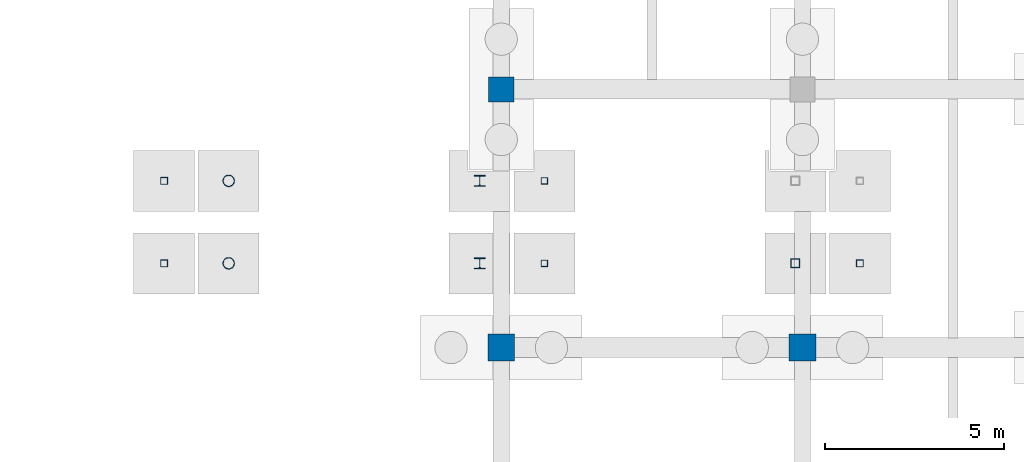
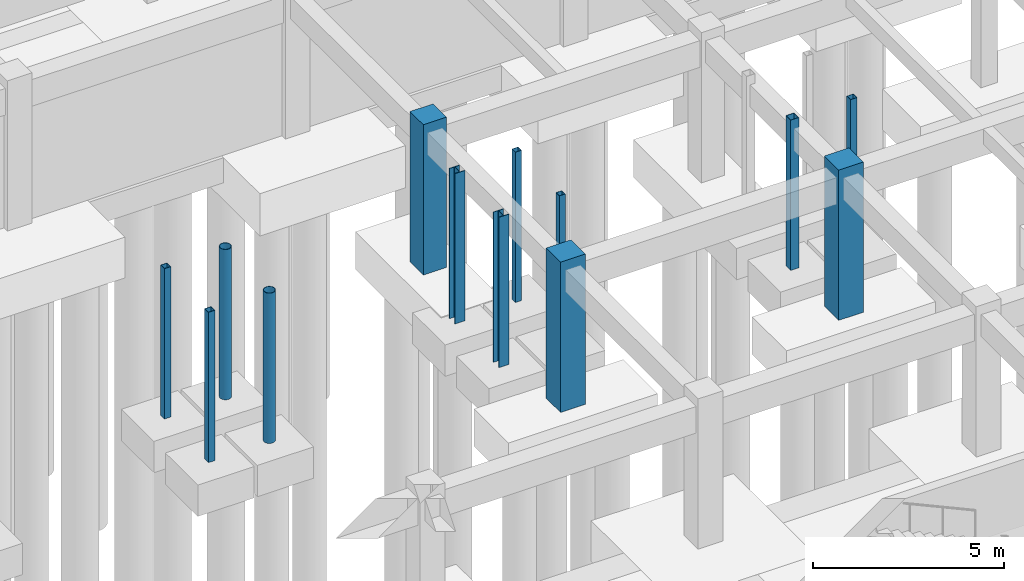
# One storey, part 38 of 80: 13 columns.
"""IFC4 building model written with IfcOpenShell, lengths in metres."""

from ifc_helpers import new_model, si_unit, direction, frame, origin, origin_2d, place, context, subcontext, project, spatial, rectangle, hollow_rectangle, hollow_circle, i_section, extrude, material, material_profile, profile_set, type_object, element, save


model = new_model("IFC4")

# Units and contexts
model_context = context("Model", 3, precision=1e-05, world=origin(), true_north=direction((0.0, 1.0)))
body_context = subcontext(model_context, "Body", "Model", "MODEL_VIEW")
ifc_project = project(units=[si_unit("LENGTHUNIT", "METRE"), si_unit("AREAUNIT", "SQUARE_METRE"), si_unit("VOLUMEUNIT", "CUBIC_METRE"), si_unit("PLANEANGLEUNIT", "RADIAN"), si_unit("MASSUNIT", "GRAM", prefix="KILO")], contexts=[model_context])

# Site, building, storey
site_placement = place(None, origin())
site = spatial("IfcSite", under=ifc_project, at=site_placement, CompositionType="ELEMENT")
building_placement = place(site_placement, origin())
building = spatial("IfcBuilding", under=site, at=building_placement, Name="Malvenik Polytechnic", CompositionType="ELEMENT")
storey_placement = place(building_placement, frame((0.0, 0.0, -4.800048828125)))
storey = spatial("IfcBuildingStorey", under=building, at=storey_placement, Name="B1", CompositionType="ELEMENT", Elevation=-4.800048828125)

# Columns
ifc_material_1 = material(Name="Concrete C40/50", Category="concrete")
ifc_material_profile_1 = material_profile(ifc_material_1, rectangle(XDim=0.75, YDim=0.75, at=origin_2d()), Name="RC COL 750x750")
ifc_profile_set_1 = profile_set([ifc_material_profile_1], Name="Concrete C40/50")
column_type_1 = type_object("IfcColumnType", Name="STR-COL-C-03", PredefinedType="COLUMN", material=ifc_profile_set_1)
for number, where, z_axis, x_axis, name in (
    (1, (75.60009765625, 100.800048828125, 0.0), (0.0, 0.0, 1.0), (1.0, 0.0, 0.0), "Column C-03 B1 (75.6,100.8)"),
    (2, (84.0, 100.800048828125, 0.0), (0.0, 0.0, 1.0), (1.0, 0.0, 0.0), "Column C-03 B1 (84.0,100.8)"),
):
    element("IfcColumn", number, at=place(storey_placement, frame(where, z_axis=z_axis, x_axis=x_axis)), inside=storey, type_object=column_type_1, Name=name, PredefinedType="COLUMN", context=body_context, shape_type="SweptSolid", body=[
        extrude(rectangle(XDim=0.75, YDim=0.75, at=origin_2d()), origin(), (0.0, 0.0, 1.0), 4.800048828125),
    ])
ifc_material_profile_2 = material_profile(ifc_material_1, rectangle(XDim=0.699951171875, YDim=0.699951171875, at=origin_2d()), Name="RC COL 700x700")
ifc_profile_set_2 = profile_set([ifc_material_profile_2], Name="Concrete C40/50")
column_type_2 = type_object("IfcColumnType", Name="STR-COL-C-04", PredefinedType="COLUMN", material=ifc_profile_set_2)
column_1_placement = place(storey_placement, frame((75.60009765625, 108.0, 0.0), z_axis=(0.0, 0.0, 1.0), x_axis=(1.0, 0.0, 0.0)))
element("IfcColumn", 3, at=column_1_placement, inside=storey, type_object=column_type_2, Name="Column C-04 B1 (75.6,108.0)", PredefinedType="COLUMN", context=body_context, shape_type="SweptSolid", body=[
    extrude(rectangle(XDim=0.699951171875, YDim=0.699951171875, at=origin_2d()), origin(), (0.0, 0.0, 1.0), 4.800048828125),
])
ifc_material_2 = material(Name="Steel S355J2H", Category="steel")
ifc_material_profile_3 = material_profile(ifc_material_2, hollow_rectangle(XDim=0.25, YDim=0.25, WallThickness=0.010009765625, at=origin_2d()), Name="SHS 250x250x10.0")
ifc_profile_set_3 = profile_set([ifc_material_profile_3], Name="Steel S355J2H")
column_type_3 = type_object("IfcColumnType", Name="STR-SCOL-SC-01", PredefinedType="COLUMN", material=ifc_profile_set_3)
column_2_placement = place(storey_placement, frame((83.800048828125, 103.14990234375, 0.0), z_axis=(0.0, 0.0, 1.0), x_axis=(1.0, 0.0, 0.0)))
element("IfcColumn", 4, at=column_2_placement, inside=storey, type_object=column_type_3, Name="Bridge-Ramp Support Column SC-01 B1", PredefinedType="COLUMN", context=body_context, shape_type="SweptSolid", body=[
    extrude(hollow_rectangle(XDim=0.25, YDim=0.25, WallThickness=0.010009765625, at=origin_2d()), origin(), (0.0, 0.0, 1.0), 4.800048828125),
])
ifc_material_profile_4 = material_profile(ifc_material_2, hollow_rectangle(XDim=0.199951171875, YDim=0.199951171875, WallThickness=0.010009765625, at=origin_2d()), Name="SHS 200x200x10.0")
ifc_profile_set_4 = profile_set([ifc_material_profile_4], Name="Steel S355J2H")
column_type_4 = type_object("IfcColumnType", Name="STR-SCOL-SC-02", PredefinedType="COLUMN", material=ifc_profile_set_4)
for number, where, z_axis, x_axis, name in (
    (5, (66.199951171875, 103.14990234375, 0.0), (0.0, 0.0, 1.0), (1.0, 0.0, 0.0), "Bridge-Ramp Support Column SC-02 B1"),
    (6, (66.199951171875, 105.449951171875, 0.0), (0.0, 0.0, 1.0), (1.0, 0.0, 0.0), "Bridge-Ramp Support Column SC-02 B1"),
    (7, (85.60009765625, 103.14990234375, 0.0), (0.0, 0.0, 1.0), (1.0, 0.0, 0.0), "Bridge-Ramp Support Column SC-02 B1"),
):
    element("IfcColumn", number, at=place(storey_placement, frame(where, z_axis=z_axis, x_axis=x_axis)), inside=storey, type_object=column_type_4, Name=name, PredefinedType="COLUMN", context=body_context, shape_type="SweptSolid", body=[
        extrude(hollow_rectangle(XDim=0.199951171875, YDim=0.199951171875, WallThickness=0.010009765625, at=origin_2d()), origin(), (0.0, 0.0, 1.0), 4.800048828125),
    ])
ifc_material_profile_5 = material_profile(ifc_material_2, hollow_circle(Radius=0.161865234375, WallThickness=0.012451171875, at=origin_2d()), Name="CHS 323.9x12.5")
ifc_profile_set_5 = profile_set([ifc_material_profile_5], Name="Steel S355J2H")
column_type_5 = type_object("IfcColumnType", Name="STR-SCOL-SC-04", PredefinedType="COLUMN", material=ifc_profile_set_5)
for number, where, z_axis, x_axis, name in (
    (8, (68.0, 103.14990234375, 0.0), (0.0, 0.0, 1.0), (1.0, 0.0, 0.0), "Bridge-Ramp Support Column SC-04 B1"),
    (9, (68.0, 105.449951171875, 0.0), (0.0, 0.0, 1.0), (1.0, 0.0, 0.0), "Bridge-Ramp Support Column SC-04 B1"),
):
    element("IfcColumn", number, at=place(storey_placement, frame(where, z_axis=z_axis, x_axis=x_axis)), inside=storey, type_object=column_type_5, Name=name, PredefinedType="COLUMN", context=body_context, shape_type="SweptSolid", body=[
        extrude(hollow_circle(Radius=0.161865234375, WallThickness=0.012451171875, at=origin_2d()), origin(), (0.0, 0.0, 1.0), 4.800048828125),
    ])
ifc_material_3 = material(Name="Steel S355", Category="steel")
ifc_material_profile_6 = material_profile(ifc_material_3, i_section(OverallWidth=0.300048828125, OverallDepth=0.300048828125, WebThickness=0.010986328125, FlangeThickness=0.01904296875, FilletRadius=0.027099609375, at=origin_2d()), Name="HEB 300")
ifc_profile_set_6 = profile_set([ifc_material_profile_6], Name="Steel S355")
column_type_6 = type_object("IfcColumnType", Name="STR-SCOL-SC-05", PredefinedType="COLUMN", material=ifc_profile_set_6)
for number, where, z_axis, x_axis, name in (
    (10, (75.0, 103.14990234375, 0.0), (0.0, 0.0, 1.0), (1.0, 0.0, 0.0), "Bridge-Ramp Support Column SC-05 B1"),
    (11, (75.0, 105.449951171875, 0.0), (0.0, 0.0, 1.0), (1.0, 0.0, 0.0), "Bridge-Ramp Support Column SC-05 B1"),
):
    element("IfcColumn", number, at=place(storey_placement, frame(where, z_axis=z_axis, x_axis=x_axis)), inside=storey, type_object=column_type_6, Name=name, PredefinedType="COLUMN", context=body_context, shape_type="SweptSolid", body=[
        extrude(i_section(OverallWidth=0.300048828125, OverallDepth=0.300048828125, WebThickness=0.010986328125, FlangeThickness=0.01904296875, FilletRadius=0.027099609375, at=origin_2d()), origin(), (0.0, 0.0, 1.0), 4.800048828125),
    ])
ifc_material_profile_7 = material_profile(ifc_material_2, hollow_rectangle(XDim=0.179931640625, YDim=0.179931640625, WallThickness=0.008056640625, at=origin_2d()), Name="SHS 180x180x8.0")
ifc_profile_set_7 = profile_set([ifc_material_profile_7], Name="Steel S355J2H")
column_type_7 = type_object("IfcColumnType", Name="STR-SCOL-SC-06", PredefinedType="COLUMN", material=ifc_profile_set_7)
for number, where, z_axis, x_axis, name in (
    (12, (76.800048828125, 103.14990234375, 0.0), (0.0, 0.0, 1.0), (1.0, 0.0, 0.0), "Bridge-Ramp Support Column SC-06 B1"),
    (13, (76.800048828125, 105.449951171875, 0.0), (0.0, 0.0, 1.0), (1.0, 0.0, 0.0), "Bridge-Ramp Support Column SC-06 B1"),
):
    element("IfcColumn", number, at=place(storey_placement, frame(where, z_axis=z_axis, x_axis=x_axis)), inside=storey, type_object=column_type_7, Name=name, PredefinedType="COLUMN", context=body_context, shape_type="SweptSolid", body=[
        extrude(hollow_rectangle(XDim=0.179931640625, YDim=0.179931640625, WallThickness=0.008056640625, at=origin_2d()), origin(), (0.0, 0.0, 1.0), 4.800048828125),
    ])

save(model, "model.ifc")
